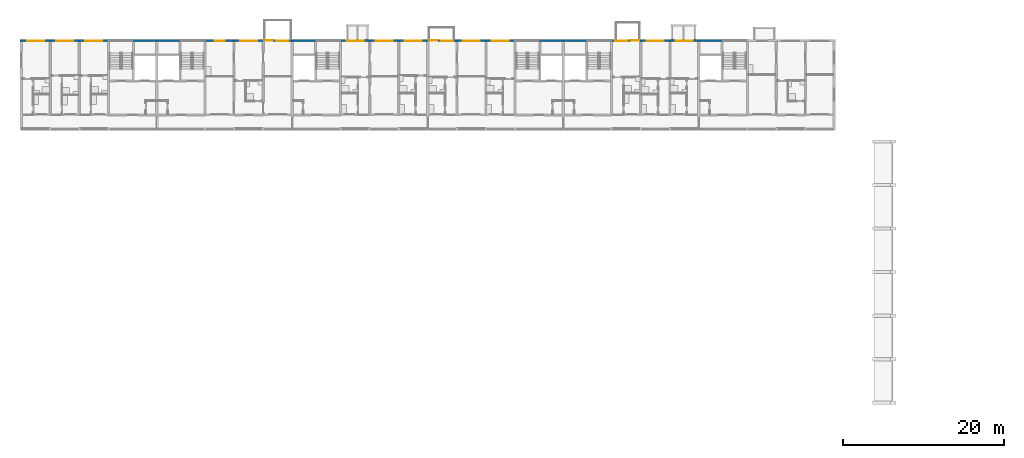
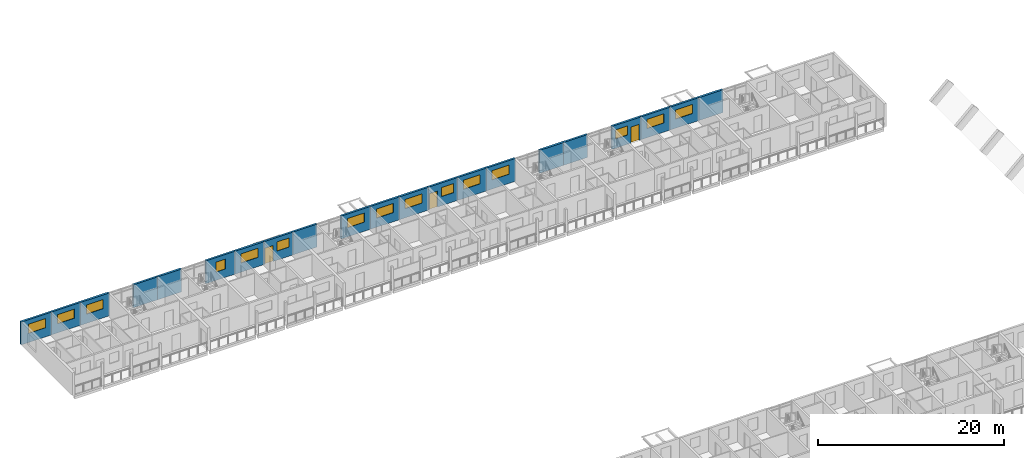
# One storey, part 44 of 98: 21 walls, 15 windows, 3 doors, 18 openings.
"""IFC4 building model written with IfcOpenShell, lengths in metres."""

import ifcopenshell
import ifcopenshell.guid

model = None  # the IFC model being written
_history = None  # IfcOwnerHistory: only IFC2X3 demands one
_inside = {}  # id of a spatial element -> (the spatial element, [elements in it])
_under = {}  # id of a project, library or spatial element -> (it, [spatial elements below it])
_declared = {}  # id of a project -> (the project, [libraries it declares])
_typed = {}  # id of a type object -> (the type object, [elements of that type])
_made_of = {}  # id of a material, layer set ... -> (it, [elements and type objects made of it])


def new_model(schema):
    """Start an empty IFC model of exactly this schema.

    Asked for "IFC4X3", IfcOpenShell would pick the latest addendum, in which some entities
    have other attributes; the version numbers below select the first issue.
    IFC2X3 requires an IfcOwnerHistory on every rooted entity: one is made here for all.
    """
    global model, _history
    if schema == "IFC4X3":
        model = ifcopenshell.file(schema_version=(4, 3, 0, 0))
    else:
        model = ifcopenshell.file(schema=schema)
    _inside.clear()
    _under.clear()
    _declared.clear()
    _typed.clear()
    _made_of.clear()
    _history = None
    if model.schema == "IFC2X3":
        org = make("IfcOrganization", Name="unknown")
        user = make(
            "IfcPersonAndOrganization",
            ThePerson=make("IfcPerson", FamilyName="unknown"),
            TheOrganization=org,
        )
        app = make(
            "IfcApplication",
            ApplicationDeveloper=org,
            Version="unknown",
            ApplicationFullName="unknown",
            ApplicationIdentifier="unknown",
        )
        _history = make(
            "IfcOwnerHistory",
            OwningUser=user,
            OwningApplication=app,
            ChangeAction="ADDED",
            CreationDate=0,
        )
    return model


def make(cls, **values):
    """One entity of the class cls with the attributes given. An attribute that is None is left unset."""
    return model.create_entity(
        cls, **{name: value for name, value in values.items() if value is not None}
    )


def rooted(cls, **values):
    """An entity with a GlobalId (a new one), such as an element, a storey or a relation."""
    return make(cls, GlobalId=ifcopenshell.guid.new(), OwnerHistory=_history, **values)


def si_unit(unit_type, name, prefix=None):
    """IfcSIUnit, for example si_unit("LENGTHUNIT", "METRE", prefix="MILLI")."""
    return make("IfcSIUnit", UnitType=unit_type, Prefix=prefix, Name=name)


def assignment(units):
    """IfcUnitAssignment: the units of a project."""
    return None if units is None else make("IfcUnitAssignment", Units=units)


def point(xyz):
    """IfcCartesianPoint."""
    return None if xyz is None else make("IfcCartesianPoint", Coordinates=xyz)


def direction(xyz):
    """IfcDirection."""
    return None if xyz is None else make("IfcDirection", DirectionRatios=xyz)


def frame(location, z_axis=None, x_axis=None):
    """IfcAxis2Placement3D, a coordinate frame: its origin and axes. An axis left out is left unset."""
    return make(
        "IfcAxis2Placement3D",
        Location=point(location),
        Axis=direction(z_axis),
        RefDirection=direction(x_axis),
    )


def frame_2d(location, x_axis=None):
    """IfcAxis2Placement2D, a coordinate frame in the plane: its origin and x axis."""
    return make(
        "IfcAxis2Placement2D", Location=point(location), RefDirection=direction(x_axis)
    )


def origin():
    """The frame at (0, 0, 0) with its axes left unset."""
    return frame((0.0, 0.0, 0.0))


def place(relative_to, where):
    """IfcLocalPlacement: puts the frame where relative to a parent placement (None: the world)."""
    return make(
        "IfcLocalPlacement", PlacementRelTo=relative_to, RelativePlacement=where
    )


def context(
    kind, dimensions, precision=None, world=None, true_north=None, identifier=None
):
    """IfcGeometricRepresentationContext, for example the 3D "Model" context."""
    return make(
        "IfcGeometricRepresentationContext",
        ContextIdentifier=identifier,
        ContextType=kind,
        CoordinateSpaceDimension=dimensions,
        Precision=precision,
        WorldCoordinateSystem=world,
        TrueNorth=true_north,
    )


def subcontext(parent, identifier, kind, view, scale=None):
    """IfcGeometricRepresentationSubContext, for example "Body" below "Model"."""
    return make(
        "IfcGeometricRepresentationSubContext",
        ContextIdentifier=identifier,
        ContextType=kind,
        ParentContext=parent,
        TargetScale=scale,
        TargetView=view,
    )


def project(units=None, contexts=None):
    """IfcProject with its units and contexts."""
    return rooted(
        "IfcProject",
        Name="project",
        RepresentationContexts=contexts,
        UnitsInContext=assignment(units),
    )


def spatial(cls, under=None, at=None, **own):
    """A site, building, storey or space (cls), placed at a placement, below another one or the project."""
    s = rooted(cls, ObjectPlacement=at, **own)
    if under is not None:
        _under.setdefault(under.id(), (under, []))[1].append(s)
    return s


def profile(cls, at=None, kind="AREA", **sizes):
    """A parametric profile (cls). Its sizes go by their IFC names, for example OverallWidth=200.0."""
    return make(cls, ProfileType=kind, Position=at, **sizes)


def rectangle(**sizes):
    """IfcRectangleProfileDef."""
    return profile("IfcRectangleProfileDef", **sizes)


def extrude(swept, where, along, depth):
    """IfcExtrudedAreaSolid: the profile swept, set in the frame where, extruded along a direction by depth."""
    return make(
        "IfcExtrudedAreaSolid",
        SweptArea=swept,
        Position=where,
        ExtrudedDirection=direction(along),
        Depth=depth,
    )


def shape(context_of_items, identifier, shape_type, items):
    """IfcShapeRepresentation: the items that make up one representation, for example the "Body"."""
    return make(
        "IfcShapeRepresentation",
        ContextOfItems=context_of_items,
        RepresentationIdentifier=identifier,
        RepresentationType=shape_type,
        Items=items,
    )


def material(Name=None, Category=None):
    """IfcMaterial."""
    return make("IfcMaterial", Name=Name, Category=Category)


def layer(
    of_material, thickness, ventilated=None, Name=None, Category=None, Priority=None
):
    """IfcMaterialLayer: one layer of a wall or slab, of a material (None: an air gap)."""
    return make(
        "IfcMaterialLayer",
        Material=of_material,
        LayerThickness=thickness,
        IsVentilated=ventilated,
        Name=Name,
        Category=Category,
        Priority=Priority,
    )


def layer_set(layers, Name=None):
    """IfcMaterialLayerSet."""
    return make("IfcMaterialLayerSet", MaterialLayers=layers, LayerSetName=Name)


def made_of(thing, what):
    """Note that an element or type object is made of a material, layer set ...; save() writes the relation."""
    if what is not None:
        _made_of.setdefault(what.id(), (what, []))[1].append(thing)
    return thing


def type_object(cls, material=None, **own):
    """A type object (cls), such as IfcWallType, which elements share."""
    return made_of(rooted(cls, **own), material)


def element(
    cls,
    number,
    at=None,
    inside=None,
    cuts=None,
    type_object=None,
    material=None,
    context=None,
    identifier="Body",
    shape_type=None,
    held_by="IfcProductDefinitionShape",
    body=None,
    shapes=None,
    **own,
):
    """One element of the class cls, such as IfcWall. Its Tag is "e" and its number.

    at: its placement. inside: the storey or other place that contains it. cuts: it is an
    opening in that element (IfcRelVoidsElement). A single representation is given by context,
    identifier, shape_type and body (its items); several are given by shapes. held_by: the class
    of the entity that holds the representations. save() writes the other relations.
    """
    e = rooted(cls, Tag="e%d" % number, ObjectPlacement=at, **own)
    if body is not None:
        shapes = [shape(context, identifier, shape_type, body)]
    if shapes is not None:
        e.Representation = make(held_by, Representations=shapes)
    if inside is not None:
        _inside.setdefault(inside.id(), (inside, []))[1].append(e)
    if cuts is not None:
        rooted(
            "IfcRelVoidsElement", RelatingBuildingElement=cuts, RelatedOpeningElement=e
        )
    if type_object is not None:
        _typed.setdefault(type_object.id(), (type_object, []))[1].append(e)
    return made_of(e, material)


def fill(opening, filler):
    """IfcRelFillsElement: the door or window that sits in an opening."""
    return rooted(
        "IfcRelFillsElement",
        RelatingOpeningElement=opening,
        RelatedBuildingElement=filler,
    )


def aggregate(whole, parts):
    """IfcRelAggregates: a whole, such as a stair, and the parts it consists of."""
    return rooted("IfcRelAggregates", RelatingObject=whole, RelatedObjects=parts)


def save(model, path):
    """Write the relations noted so far, then the file.

    IfcRelAggregates (storeys below a building ...), IfcRelContainedInSpatialStructure (elements
    in a storey), IfcRelDefinesByType, IfcRelAssociatesMaterial and IfcRelDeclares: one each for
    every whole, place, type object, material and project.
    """
    for whole, parts in _under.values():
        aggregate(whole, parts)
    for where, things in _inside.values():
        rooted(
            "IfcRelContainedInSpatialStructure",
            RelatedElements=things,
            RelatingStructure=where,
        )
    for kind, things in _typed.values():
        rooted("IfcRelDefinesByType", RelatedObjects=things, RelatingType=kind)
    for what, things in _made_of.values():
        rooted("IfcRelAssociatesMaterial", RelatedObjects=things, RelatingMaterial=what)
    for by, libraries in _declared.values():
        rooted("IfcRelDeclares", RelatingContext=by, RelatedDefinitions=libraries)
    model.write(path)


model = new_model("IFC4")

# Units and contexts
model_context = context("Model", 3, precision=1e-05, world=origin(), true_north=direction((0.0, 1.0)))
body_context = subcontext(model_context, "Body", "Model", "MODEL_VIEW")
ifc_project = project(units=[si_unit("LENGTHUNIT", "METRE"), si_unit("AREAUNIT", "SQUARE_METRE"), si_unit("VOLUMEUNIT", "CUBIC_METRE"), si_unit("PLANEANGLEUNIT", "RADIAN"), si_unit("MASSUNIT", "GRAM", prefix="KILO")], contexts=[model_context])

# Site, building, storey
site_placement = place(None, origin())
site = spatial("IfcSite", under=ifc_project, at=site_placement, CompositionType="ELEMENT")
building_placement = place(site_placement, origin())
building = spatial("IfcBuilding", under=site, at=building_placement, Name="Ridgestep Commons", CompositionType="ELEMENT")
storey_placement = place(building_placement, frame((0.0, 0.0, 12.0)))
storey = spatial("IfcBuildingStorey", under=building, at=storey_placement, Name="L04", CompositionType="ELEMENT", Elevation=12.0)

# Wall, opening, window
ifc_material_1 = material(Name="Precast concrete C40/50", Category="concrete")
ifc_layer = layer(ifc_material_1, 0.25)
ifc_layer_set = layer_set([ifc_layer], Name="North facade panel 250")
wall_type = type_object("IfcWallType", Name="North facade panel 250", PredefinedType="SOLIDWALL", material=ifc_layer_set)
wall_1_placement = place(storey_placement, frame((11.85009765625, 77.125, 0.0), z_axis=(0.0, 0.0, 1.0), x_axis=(1.0, 0.0, 0.0)))
wall_1 = element("IfcWall", 1, at=wall_1_placement, inside=storey, type_object=wall_type, Name="North panel B1T1 L04", PredefinedType="SOLIDWALL", context=body_context, shape_type="SweptSolid", body=[
    extrude(rectangle(XDim=3.75, YDim=0.25, at=frame_2d((1.875, 0.0))), origin(), (0.0, 0.0, 1.0), 3.0),
])
opening_1_placement = place(wall_1_placement, frame((0.925048828125, 0.0, 1.199951171875)))
opening_1 = element("IfcOpeningElement", 2, at=opening_1_placement, cuts=wall_1, Name="Opening W22", PredefinedType="OPENING", context=body_context, shape_type="SweptSolid", body=[
    extrude(rectangle(XDim=2.10009765625, YDim=1.199951171875, at=frame_2d((1.050048828125, 0.60009765625))), frame((0.0, 0.135009765625, 0.0), z_axis=(0.0, -1.0, 0.0), x_axis=(1.0, 0.0, 0.0)), (0.0, 0.0, 1.0), 0.27001953125),
])
ifc_material_2 = material(Name="Aluminium 6063-T6 and glass", Category="aluminium")
window_type_1 = type_object("IfcWindowType", Name="Flat window 2100 x 1200", PartitioningType="DOUBLE_PANEL_VERTICAL", PredefinedType="WINDOW", material=ifc_material_2)
window_1_placement = place(opening_1_placement, origin())
window_1 = element("IfcWindow", 3, at=window_1_placement, inside=storey, type_object=window_type_1, Name="Window B1-04a 2", OverallHeight=1.199951171875, OverallWidth=2.10009765625, PartitioningType="SINGLE_PANEL", PredefinedType="WINDOW", context=body_context, shape_type="SweptSolid", body=[
    extrude(rectangle(XDim=2.10009765625, YDim=1.199951171875, at=frame_2d((1.050048828125, 0.60009765625))), frame((0.0, -0.02490234375, 0.0), z_axis=(0.0, -1.0, 0.0), x_axis=(1.0, 0.0, 0.0)), (0.0, 0.0, 1.0), 0.06005859375),
])
fill(opening_1, window_1)

wall_2_placement = place(storey_placement, frame((15.60009765625, 77.125, 0.0), z_axis=(0.0, 0.0, 1.0), x_axis=(1.0, 0.0, 0.0)))
wall_2 = element("IfcWall", 4, at=wall_2_placement, inside=storey, type_object=wall_type, Name="North panel B1T2 L04", PredefinedType="SOLIDWALL", context=body_context, shape_type="SweptSolid", body=[
    extrude(rectangle(XDim=3.599853515625, YDim=0.25, at=frame_2d((1.7998046875, 0.0))), origin(), (0.0, 0.0, 1.0), 3.0),
])
opening_2_placement = place(wall_2_placement, frame((0.75, 0.0, 1.199951171875)))
opening_2 = element("IfcOpeningElement", 5, at=opening_2_placement, cuts=wall_2, Name="Opening W22", PredefinedType="OPENING", context=body_context, shape_type="SweptSolid", body=[
    extrude(rectangle(XDim=2.10009765625, YDim=1.199951171875, at=frame_2d((1.050048828125, 0.60009765625))), frame((0.0, 0.135009765625, 0.0), z_axis=(0.0, -1.0, 0.0), x_axis=(1.0, 0.0, 0.0)), (0.0, 0.0, 1.0), 0.27001953125),
])
window_2_placement = place(opening_2_placement, origin())
window_2 = element("IfcWindow", 6, at=window_2_placement, inside=storey, type_object=window_type_1, Name="Window B1-04b 2", OverallHeight=1.199951171875, OverallWidth=2.10009765625, PartitioningType="SINGLE_PANEL", PredefinedType="WINDOW", context=body_context, shape_type="SweptSolid", body=[
    extrude(rectangle(XDim=2.10009765625, YDim=1.199951171875, at=frame_2d((1.050048828125, 0.60009765625))), frame((0.0, -0.02490234375, 0.0), z_axis=(0.0, -1.0, 0.0), x_axis=(1.0, 0.0, 0.0)), (0.0, 0.0, 1.0), 0.06005859375),
])
fill(opening_2, window_2)

wall_3_placement = place(storey_placement, frame((19.199951171875, 77.125, 0.0), z_axis=(0.0, 0.0, 1.0), x_axis=(1.0, 0.0, 0.0)))
wall_3 = element("IfcWall", 7, at=wall_3_placement, inside=storey, type_object=wall_type, Name="North panel B1T3 L04", PredefinedType="SOLIDWALL", context=body_context, shape_type="SweptSolid", body=[
    extrude(rectangle(XDim=3.60009765625, YDim=0.25, at=frame_2d((1.800048828125, 0.0))), origin(), (0.0, 0.0, 1.0), 3.0),
])
opening_3_placement = place(wall_3_placement, frame((0.737548828125, 0.0, 1.199951171875)))
opening_3 = element("IfcOpeningElement", 8, at=opening_3_placement, cuts=wall_3, Name="Opening W22", PredefinedType="OPENING", context=body_context, shape_type="SweptSolid", body=[
    extrude(rectangle(XDim=2.10009765625, YDim=1.199951171875, at=frame_2d((1.050048828125, 0.60009765625))), frame((0.0, 0.135009765625, 0.0), z_axis=(0.0, -1.0, 0.0), x_axis=(1.0, 0.0, 0.0)), (0.0, 0.0, 1.0), 0.27001953125),
])
window_3_placement = place(opening_3_placement, origin())
window_3 = element("IfcWindow", 9, at=window_3_placement, inside=storey, type_object=window_type_1, Name="Window B1-04c 2", OverallHeight=1.199951171875, OverallWidth=2.10009765625, PartitioningType="SINGLE_PANEL", PredefinedType="WINDOW", context=body_context, shape_type="SweptSolid", body=[
    extrude(rectangle(XDim=2.10009765625, YDim=1.199951171875, at=frame_2d((1.050048828125, 0.60009765625))), frame((0.0, -0.02490234375, 0.0), z_axis=(0.0, -1.0, 0.0), x_axis=(1.0, 0.0, 0.0)), (0.0, 0.0, 1.0), 0.06005859375),
])
fill(opening_3, window_3)

# Walls
wall_4_placement = place(storey_placement, frame((25.824951171875, 77.125, 0.0), z_axis=(0.0, 0.0, 1.0), x_axis=(1.0, 0.0, 0.0)))
element("IfcWall", 10, at=wall_4_placement, inside=storey, type_object=wall_type, Name="North panel B1C L04", PredefinedType="SOLIDWALL", context=body_context, shape_type="SweptSolid", body=[
    extrude(rectangle(XDim=2.97509765625, YDim=0.25, at=frame_2d((1.487548828125, 0.0))), origin(), (0.0, 0.0, 1.0), 3.0),
])
wall_5_placement = place(storey_placement, frame((28.800048828125, 77.125, 0.0), z_axis=(0.0, 0.0, 1.0), x_axis=(1.0, 0.0, 0.0)))
element("IfcWall", 11, at=wall_5_placement, inside=storey, type_object=wall_type, Name="North panel B2C L04", PredefinedType="SOLIDWALL", context=body_context, shape_type="SweptSolid", body=[
    extrude(rectangle(XDim=2.974853515625, YDim=0.25, at=frame_2d((1.4873046875, 0.0))), origin(), (0.0, 0.0, 1.0), 3.0),
])

# Wall, opening, window
wall_6_placement = place(storey_placement, frame((34.800048828125, 77.125, 0.0), z_axis=(0.0, 0.0, 1.0), x_axis=(1.0, 0.0, 0.0)))
wall_6 = element("IfcWall", 12, at=wall_6_placement, inside=storey, type_object=wall_type, Name="North panel B2T3 L04", PredefinedType="SOLIDWALL", context=body_context, shape_type="SweptSolid", body=[
    extrude(rectangle(XDim=3.599853515625, YDim=0.25, at=frame_2d((1.7998046875, 0.0))), origin(), (0.0, 0.0, 1.0), 3.0),
])
opening_4_placement = place(wall_6_placement, frame((1.21240234375, 0.0, 1.10009765625)))
opening_4 = element("IfcOpeningElement", 13, at=opening_4_placement, cuts=wall_6, Name="Opening W08", PredefinedType="OPENING", context=body_context, shape_type="SweptSolid", body=[
    extrude(rectangle(XDim=1.199951171875, YDim=1.300048828125, at=frame_2d((0.60009765625, 0.64990234375))), frame((0.0, 0.135009765625, 0.0), z_axis=(0.0, -1.0, 0.0), x_axis=(1.0, 0.0, 0.0)), (0.0, 0.0, 1.0), 0.27001953125),
])
ifc_material_3 = material(Name="Aluminium 6063-T6 and glass", Category="aluminium")
window_type_2 = type_object("IfcWindowType", Name="Flat window 1200 x 1300", PartitioningType="SINGLE_PANEL", PredefinedType="WINDOW", material=ifc_material_3)
window_4_placement = place(opening_4_placement, origin())
window_4 = element("IfcWindow", 14, at=window_4_placement, inside=storey, type_object=window_type_2, Name="Window B2-04a 2", OverallHeight=1.300048828125, OverallWidth=1.199951171875, PartitioningType="SINGLE_PANEL", PredefinedType="WINDOW", context=body_context, shape_type="SweptSolid", body=[
    extrude(rectangle(XDim=1.199951171875, YDim=1.300048828125, at=frame_2d((0.60009765625, 0.64990234375))), frame((0.0, -0.02490234375, 0.0), z_axis=(0.0, -1.0, 0.0), x_axis=(1.0, 0.0, 0.0)), (0.0, 0.0, 1.0), 0.06005859375),
])
fill(opening_4, window_4)

wall_7_placement = place(storey_placement, frame((38.39990234375, 77.125, 0.0), z_axis=(0.0, 0.0, 1.0), x_axis=(1.0, 0.0, 0.0)))
wall_7 = element("IfcWall", 15, at=wall_7_placement, inside=storey, type_object=wall_type, Name="North panel B2T2 L04", PredefinedType="SOLIDWALL", context=body_context, shape_type="SweptSolid", body=[
    extrude(rectangle(XDim=3.60009765625, YDim=0.25, at=frame_2d((1.800048828125, 0.0))), origin(), (0.0, 0.0, 1.0), 3.0),
])
opening_5_placement = place(wall_7_placement, frame((0.75, 0.0, 1.199951171875)))
opening_5 = element("IfcOpeningElement", 16, at=opening_5_placement, cuts=wall_7, Name="Opening W22", PredefinedType="OPENING", context=body_context, shape_type="SweptSolid", body=[
    extrude(rectangle(XDim=2.10009765625, YDim=1.199951171875, at=frame_2d((1.050048828125, 0.60009765625))), frame((0.0, 0.135009765625, 0.0), z_axis=(0.0, -1.0, 0.0), x_axis=(1.0, 0.0, 0.0)), (0.0, 0.0, 1.0), 0.27001953125),
])
window_5_placement = place(opening_5_placement, origin())
window_5 = element("IfcWindow", 17, at=window_5_placement, inside=storey, type_object=window_type_1, Name="Window B2-04a 5", OverallHeight=1.199951171875, OverallWidth=2.10009765625, PartitioningType="SINGLE_PANEL", PredefinedType="WINDOW", context=body_context, shape_type="SweptSolid", body=[
    extrude(rectangle(XDim=2.10009765625, YDim=1.199951171875, at=frame_2d((1.050048828125, 0.60009765625))), frame((0.0, -0.02490234375, 0.0), z_axis=(0.0, -1.0, 0.0), x_axis=(1.0, 0.0, 0.0)), (0.0, 0.0, 1.0), 0.06005859375),
])
fill(opening_5, window_5)

# Wall, openings, door, window
wall_8_placement = place(storey_placement, frame((42.0, 77.125, 0.0), z_axis=(0.0, 0.0, 1.0), x_axis=(1.0, 0.0, 0.0)))
wall_8 = element("IfcWall", 18, at=wall_8_placement, inside=storey, type_object=wall_type, Name="North panel B2T1 L04", PredefinedType="SOLIDWALL", context=body_context, shape_type="SweptSolid", body=[
    extrude(rectangle(XDim=3.60009765625, YDim=0.25, at=frame_2d((1.800048828125, 0.0))), origin(), (0.0, 0.0, 1.0), 3.0),
])
opening_6_placement = place(wall_8_placement, frame((1.60009765625, 0.0, 1.199951171875)))
opening_6 = element("IfcOpeningElement", 19, at=opening_6_placement, cuts=wall_8, Name="Opening W13", PredefinedType="OPENING", context=body_context, shape_type="SweptSolid", body=[
    extrude(rectangle(XDim=1.5, YDim=1.199951171875, at=frame_2d((0.75, 0.60009765625))), frame((0.0, 0.135009765625, 0.0), z_axis=(0.0, -1.0, 0.0), x_axis=(1.0, 0.0, 0.0)), (0.0, 0.0, 1.0), 0.27001953125),
])
opening_7_placement = place(wall_8_placement, frame((0.14990234375, 0.0, 0.0)))
opening_7 = element("IfcOpeningElement", 20, at=opening_7_placement, cuts=wall_8, Name="Opening B2-04a/8", PredefinedType="OPENING", context=body_context, shape_type="SweptSolid", body=[
    extrude(rectangle(XDim=1.0, YDim=2.10009765625, at=frame_2d((0.5, 1.050048828125))), frame((0.0, 0.135009765625, 0.0), z_axis=(0.0, -1.0, 0.0), x_axis=(1.0, 0.0, 0.0)), (0.0, 0.0, 1.0), 0.27001953125),
])
ifc_material_4 = material(Name="Aluminium and glass", Category="aluminium")
door_type = type_object("IfcDoorType", Name="Balcony door 1000 x 2100", OperationType="NOTDEFINED", PredefinedType="DOOR", material=ifc_material_4)
door_1_placement = place(opening_7_placement, origin())
door_1 = element("IfcDoor", 21, at=door_1_placement, inside=storey, type_object=door_type, Name="Balcony door B2-04a/8", OperationType="SINGLE_SWING_RIGHT", OverallHeight=2.10009765625, OverallWidth=1.0, PredefinedType="DOOR", context=body_context, shape_type="SweptSolid", body=[
    extrude(rectangle(XDim=1.0, YDim=2.10009765625, at=frame_2d((0.5, 1.050048828125))), frame((0.0, 0.02490234375, 0.0), z_axis=(0.0, -1.0, 0.0), x_axis=(1.0, 0.0, 0.0)), (0.0, 0.0, 1.0), 0.050048828125),
])
fill(opening_7, door_1)
ifc_material_5 = material(Name="Aluminium 6063-T6 and glass", Category="aluminium")
window_type_3 = type_object("IfcWindowType", Name="Flat window 1500 x 1200", PartitioningType="DOUBLE_PANEL_VERTICAL", PredefinedType="WINDOW", material=ifc_material_5)
window_6_placement = place(opening_6_placement, origin())
window_6 = element("IfcWindow", 22, at=window_6_placement, inside=storey, type_object=window_type_3, Name="Window B2-04a 4", OverallHeight=1.199951171875, OverallWidth=1.5, PartitioningType="SINGLE_PANEL", PredefinedType="WINDOW", context=body_context, shape_type="SweptSolid", body=[
    extrude(rectangle(XDim=1.5, YDim=1.199951171875, at=frame_2d((0.75, 0.60009765625))), frame((0.0, -0.02490234375, 0.0), z_axis=(0.0, -1.0, 0.0), x_axis=(1.0, 0.0, 0.0)), (0.0, 0.0, 1.0), 0.06005859375),
])
fill(opening_6, window_6)

# Wall
wall_9_placement = place(storey_placement, frame((45.60009765625, 77.125, 0.0), z_axis=(0.0, 0.0, 1.0), x_axis=(1.0, 0.0, 0.0)))
element("IfcWall", 23, at=wall_9_placement, inside=storey, type_object=wall_type, Name="North panel B3C L04", PredefinedType="SOLIDWALL", context=body_context, shape_type="SweptSolid", body=[
    extrude(rectangle(XDim=2.974853515625, YDim=0.25, at=frame_2d((1.4873046875, 0.0))), origin(), (0.0, 0.0, 1.0), 3.0),
])

# Wall, opening, window
wall_10_placement = place(storey_placement, frame((51.60009765625, 77.125, 0.0), z_axis=(0.0, 0.0, 1.0), x_axis=(1.0, 0.0, 0.0)))
wall_10 = element("IfcWall", 24, at=wall_10_placement, inside=storey, type_object=wall_type, Name="North panel B3T3 L04", PredefinedType="SOLIDWALL", context=body_context, shape_type="SweptSolid", body=[
    extrude(rectangle(XDim=3.599853515625, YDim=0.25, at=frame_2d((1.7998046875, 0.0))), origin(), (0.0, 0.0, 1.0), 3.0),
])
opening_8_placement = place(wall_10_placement, frame((0.762451171875, 0.0, 1.199951171875)))
opening_8 = element("IfcOpeningElement", 25, at=opening_8_placement, cuts=wall_10, Name="Opening W22", PredefinedType="OPENING", context=body_context, shape_type="SweptSolid", body=[
    extrude(rectangle(XDim=2.10009765625, YDim=1.199951171875, at=frame_2d((1.050048828125, 0.60009765625))), frame((0.0, 0.135009765625, 0.0), z_axis=(0.0, -1.0, 0.0), x_axis=(1.0, 0.0, 0.0)), (0.0, 0.0, 1.0), 0.27001953125),
])
window_7_placement = place(opening_8_placement, origin())
window_7 = element("IfcWindow", 26, at=window_7_placement, inside=storey, type_object=window_type_1, Name="Window B3-04b 4", OverallHeight=1.199951171875, OverallWidth=2.10009765625, PartitioningType="SINGLE_PANEL", PredefinedType="WINDOW", context=body_context, shape_type="SweptSolid", body=[
    extrude(rectangle(XDim=2.10009765625, YDim=1.199951171875, at=frame_2d((1.050048828125, 0.60009765625))), frame((0.0, -0.02490234375, 0.0), z_axis=(0.0, -1.0, 0.0), x_axis=(1.0, 0.0, 0.0)), (0.0, 0.0, 1.0), 0.06005859375),
])
fill(opening_8, window_7)

wall_11_placement = place(storey_placement, frame((55.199951171875, 77.125, 0.0), z_axis=(0.0, 0.0, 1.0), x_axis=(1.0, 0.0, 0.0)))
wall_11 = element("IfcWall", 27, at=wall_11_placement, inside=storey, type_object=wall_type, Name="North panel B3T2 L04", PredefinedType="SOLIDWALL", context=body_context, shape_type="SweptSolid", body=[
    extrude(rectangle(XDim=3.60009765625, YDim=0.25, at=frame_2d((1.800048828125, 0.0))), origin(), (0.0, 0.0, 1.0), 3.0),
])
opening_9_placement = place(wall_11_placement, frame((0.75, 0.0, 1.199951171875)))
opening_9 = element("IfcOpeningElement", 28, at=opening_9_placement, cuts=wall_11, Name="Opening W22", PredefinedType="OPENING", context=body_context, shape_type="SweptSolid", body=[
    extrude(rectangle(XDim=2.10009765625, YDim=1.199951171875, at=frame_2d((1.050048828125, 0.60009765625))), frame((0.0, 0.135009765625, 0.0), z_axis=(0.0, -1.0, 0.0), x_axis=(1.0, 0.0, 0.0)), (0.0, 0.0, 1.0), 0.27001953125),
])
window_8_placement = place(opening_9_placement, origin())
window_8 = element("IfcWindow", 29, at=window_8_placement, inside=storey, type_object=window_type_1, Name="Window B3-04b 2", OverallHeight=1.199951171875, OverallWidth=2.10009765625, PartitioningType="SINGLE_PANEL", PredefinedType="WINDOW", context=body_context, shape_type="SweptSolid", body=[
    extrude(rectangle(XDim=2.10009765625, YDim=1.199951171875, at=frame_2d((1.050048828125, 0.60009765625))), frame((0.0, -0.02490234375, 0.0), z_axis=(0.0, -1.0, 0.0), x_axis=(1.0, 0.0, 0.0)), (0.0, 0.0, 1.0), 0.06005859375),
])
fill(opening_9, window_8)

wall_12_placement = place(storey_placement, frame((58.800048828125, 77.125, 0.0), z_axis=(0.0, 0.0, 1.0), x_axis=(1.0, 0.0, 0.0)))
wall_12 = element("IfcWall", 30, at=wall_12_placement, inside=storey, type_object=wall_type, Name="North panel B3T1 L04", PredefinedType="SOLIDWALL", context=body_context, shape_type="SweptSolid", body=[
    extrude(rectangle(XDim=3.599853515625, YDim=0.25, at=frame_2d((1.7998046875, 0.0))), origin(), (0.0, 0.0, 1.0), 3.0),
])
opening_10_placement = place(wall_12_placement, frame((0.72509765625, 0.0, 1.199951171875)))
opening_10 = element("IfcOpeningElement", 31, at=opening_10_placement, cuts=wall_12, Name="Opening W22", PredefinedType="OPENING", context=body_context, shape_type="SweptSolid", body=[
    extrude(rectangle(XDim=2.10009765625, YDim=1.199951171875, at=frame_2d((1.050048828125, 0.60009765625))), frame((0.0, 0.135009765625, 0.0), z_axis=(0.0, -1.0, 0.0), x_axis=(1.0, 0.0, 0.0)), (0.0, 0.0, 1.0), 0.27001953125),
])
window_9_placement = place(opening_10_placement, origin())
window_9 = element("IfcWindow", 32, at=window_9_placement, inside=storey, type_object=window_type_1, Name="Window B3-04a 2", OverallHeight=1.199951171875, OverallWidth=2.10009765625, PartitioningType="SINGLE_PANEL", PredefinedType="WINDOW", context=body_context, shape_type="SweptSolid", body=[
    extrude(rectangle(XDim=2.10009765625, YDim=1.199951171875, at=frame_2d((1.050048828125, 0.60009765625))), frame((0.0, -0.02490234375, 0.0), z_axis=(0.0, -1.0, 0.0), x_axis=(1.0, 0.0, 0.0)), (0.0, 0.0, 1.0), 0.06005859375),
])
fill(opening_10, window_9)

# Wall, openings, door, window
wall_13_placement = place(storey_placement, frame((62.39990234375, 77.125, 0.0), z_axis=(0.0, 0.0, 1.0), x_axis=(1.0, 0.0, 0.0)))
wall_13 = element("IfcWall", 33, at=wall_13_placement, inside=storey, type_object=wall_type, Name="North panel B4T1 L04", PredefinedType="SOLIDWALL", context=body_context, shape_type="SweptSolid", body=[
    extrude(rectangle(XDim=3.60009765625, YDim=0.25, at=frame_2d((1.800048828125, 0.0))), origin(), (0.0, 0.0, 1.0), 3.0),
])
opening_11_placement = place(wall_13_placement, frame((1.6279296875, 0.0, 1.199951171875)))
opening_11 = element("IfcOpeningElement", 34, at=opening_11_placement, cuts=wall_13, Name="Opening W13", PredefinedType="OPENING", context=body_context, shape_type="SweptSolid", body=[
    extrude(rectangle(XDim=1.5, YDim=1.199951171875, at=frame_2d((0.75, 0.60009765625))), frame((0.0, 0.135009765625, 0.0), z_axis=(0.0, -1.0, 0.0), x_axis=(1.0, 0.0, 0.0)), (0.0, 0.0, 1.0), 0.27001953125),
])
opening_12_placement = place(wall_13_placement, frame((0.156005859375, 0.0, 0.0)))
opening_12 = element("IfcOpeningElement", 35, at=opening_12_placement, cuts=wall_13, Name="Opening B4-04a/7", PredefinedType="OPENING", context=body_context, shape_type="SweptSolid", body=[
    extrude(rectangle(XDim=1.0, YDim=2.10009765625, at=frame_2d((0.5, 1.050048828125))), frame((0.0, 0.135009765625, 0.0), z_axis=(0.0, -1.0, 0.0), x_axis=(1.0, 0.0, 0.0)), (0.0, 0.0, 1.0), 0.27001953125),
])
door_2_placement = place(opening_12_placement, origin())
door_2 = element("IfcDoor", 36, at=door_2_placement, inside=storey, type_object=door_type, Name="Balcony door B4-04a/7", OperationType="SINGLE_SWING_RIGHT", OverallHeight=2.10009765625, OverallWidth=1.0, PredefinedType="DOOR", context=body_context, shape_type="SweptSolid", body=[
    extrude(rectangle(XDim=1.0, YDim=2.10009765625, at=frame_2d((0.5, 1.050048828125))), frame((0.0, 0.02490234375, 0.0), z_axis=(0.0, -1.0, 0.0), x_axis=(1.0, 0.0, 0.0)), (0.0, 0.0, 1.0), 0.050048828125),
])
fill(opening_12, door_2)
window_10_placement = place(opening_11_placement, origin())
window_10 = element("IfcWindow", 37, at=window_10_placement, inside=storey, type_object=window_type_3, Name="Window B4-04a 4", OverallHeight=1.199951171875, OverallWidth=1.5, PartitioningType="SINGLE_PANEL", PredefinedType="WINDOW", context=body_context, shape_type="SweptSolid", body=[
    extrude(rectangle(XDim=1.5, YDim=1.199951171875, at=frame_2d((0.75, 0.60009765625))), frame((0.0, -0.02490234375, 0.0), z_axis=(0.0, -1.0, 0.0), x_axis=(1.0, 0.0, 0.0)), (0.0, 0.0, 1.0), 0.06005859375),
])
fill(opening_11, window_10)

# Wall, opening, window
wall_14_placement = place(storey_placement, frame((66.0, 77.125, 0.0), z_axis=(0.0, 0.0, 1.0), x_axis=(1.0, 0.0, 0.0)))
wall_14 = element("IfcWall", 38, at=wall_14_placement, inside=storey, type_object=wall_type, Name="North panel B4T2 L04", PredefinedType="SOLIDWALL", context=body_context, shape_type="SweptSolid", body=[
    extrude(rectangle(XDim=3.60009765625, YDim=0.25, at=frame_2d((1.800048828125, 0.0))), origin(), (0.0, 0.0, 1.0), 3.0),
])
opening_13_placement = place(wall_14_placement, frame((0.75, 0.0, 1.199951171875)))
opening_13 = element("IfcOpeningElement", 39, at=opening_13_placement, cuts=wall_14, Name="Opening W22", PredefinedType="OPENING", context=body_context, shape_type="SweptSolid", body=[
    extrude(rectangle(XDim=2.10009765625, YDim=1.199951171875, at=frame_2d((1.050048828125, 0.60009765625))), frame((0.0, 0.135009765625, 0.0), z_axis=(0.0, -1.0, 0.0), x_axis=(1.0, 0.0, 0.0)), (0.0, 0.0, 1.0), 0.27001953125),
])
window_11_placement = place(opening_13_placement, origin())
window_11 = element("IfcWindow", 40, at=window_11_placement, inside=storey, type_object=window_type_1, Name="Window B4-04a 2", OverallHeight=1.199951171875, OverallWidth=2.10009765625, PartitioningType="SINGLE_PANEL", PredefinedType="WINDOW", context=body_context, shape_type="SweptSolid", body=[
    extrude(rectangle(XDim=2.10009765625, YDim=1.199951171875, at=frame_2d((1.050048828125, 0.60009765625))), frame((0.0, -0.02490234375, 0.0), z_axis=(0.0, -1.0, 0.0), x_axis=(1.0, 0.0, 0.0)), (0.0, 0.0, 1.0), 0.06005859375),
])
fill(opening_13, window_11)

wall_15_placement = place(storey_placement, frame((69.60009765625, 77.125, 0.0), z_axis=(0.0, 0.0, 1.0), x_axis=(1.0, 0.0, 0.0)))
wall_15 = element("IfcWall", 41, at=wall_15_placement, inside=storey, type_object=wall_type, Name="North panel B4T3 L04", PredefinedType="SOLIDWALL", context=body_context, shape_type="SweptSolid", body=[
    extrude(rectangle(XDim=3.599853515625, YDim=0.25, at=frame_2d((1.7998046875, 0.0))), origin(), (0.0, 0.0, 1.0), 3.0),
])
opening_14_placement = place(wall_15_placement, frame((0.737548828125, 0.0, 1.199951171875)))
opening_14 = element("IfcOpeningElement", 42, at=opening_14_placement, cuts=wall_15, Name="Opening W22", PredefinedType="OPENING", context=body_context, shape_type="SweptSolid", body=[
    extrude(rectangle(XDim=2.10009765625, YDim=1.199951171875, at=frame_2d((1.050048828125, 0.60009765625))), frame((0.0, 0.135009765625, 0.0), z_axis=(0.0, -1.0, 0.0), x_axis=(1.0, 0.0, 0.0)), (0.0, 0.0, 1.0), 0.27001953125),
])
window_12_placement = place(opening_14_placement, origin())
window_12 = element("IfcWindow", 43, at=window_12_placement, inside=storey, type_object=window_type_1, Name="Window B4-04b 2", OverallHeight=1.199951171875, OverallWidth=2.10009765625, PartitioningType="SINGLE_PANEL", PredefinedType="WINDOW", context=body_context, shape_type="SweptSolid", body=[
    extrude(rectangle(XDim=2.10009765625, YDim=1.199951171875, at=frame_2d((1.050048828125, 0.60009765625))), frame((0.0, -0.02490234375, 0.0), z_axis=(0.0, -1.0, 0.0), x_axis=(1.0, 0.0, 0.0)), (0.0, 0.0, 1.0), 0.06005859375),
])
fill(opening_14, window_12)

# Walls
wall_16_placement = place(storey_placement, frame((76.22509765625, 77.125, 0.0), z_axis=(0.0, 0.0, 1.0), x_axis=(1.0, 0.0, 0.0)))
element("IfcWall", 44, at=wall_16_placement, inside=storey, type_object=wall_type, Name="North panel B4C L04", PredefinedType="SOLIDWALL", context=body_context, shape_type="SweptSolid", body=[
    extrude(rectangle(XDim=2.974853515625, YDim=0.25, at=frame_2d((1.4873046875, 0.0))), origin(), (0.0, 0.0, 1.0), 3.0),
])
wall_17_placement = place(storey_placement, frame((79.199951171875, 77.125, 0.0), z_axis=(0.0, 0.0, 1.0), x_axis=(1.0, 0.0, 0.0)))
element("IfcWall", 45, at=wall_17_placement, inside=storey, type_object=wall_type, Name="North panel B5C L04", PredefinedType="SOLIDWALL", context=body_context, shape_type="SweptSolid", body=[
    extrude(rectangle(XDim=2.97509765625, YDim=0.25, at=frame_2d((1.487548828125, 0.0))), origin(), (0.0, 0.0, 1.0), 3.0),
])

# Wall, openings, door, window
wall_18_placement = place(storey_placement, frame((85.199951171875, 77.125, 0.0), z_axis=(0.0, 0.0, 1.0), x_axis=(1.0, 0.0, 0.0)))
wall_18 = element("IfcWall", 46, at=wall_18_placement, inside=storey, type_object=wall_type, Name="North panel B5T3 L04", PredefinedType="SOLIDWALL", context=body_context, shape_type="SweptSolid", body=[
    extrude(rectangle(XDim=3.60009765625, YDim=0.25, at=frame_2d((1.800048828125, 0.0))), origin(), (0.0, 0.0, 1.0), 3.0),
])
opening_15_placement = place(wall_18_placement, frame((0.45751953125, 0.0, 1.199951171875)))
opening_15 = element("IfcOpeningElement", 47, at=opening_15_placement, cuts=wall_18, Name="Opening W13", PredefinedType="OPENING", context=body_context, shape_type="SweptSolid", body=[
    extrude(rectangle(XDim=1.5, YDim=1.199951171875, at=frame_2d((0.75, 0.60009765625))), frame((0.0, 0.135009765625, 0.0), z_axis=(0.0, -1.0, 0.0), x_axis=(1.0, 0.0, 0.0)), (0.0, 0.0, 1.0), 0.27001953125),
])
opening_16_placement = place(wall_18_placement, frame((2.389892578125, 0.0, 0.0)))
opening_16 = element("IfcOpeningElement", 48, at=opening_16_placement, cuts=wall_18, Name="Opening B5-04c/5", PredefinedType="OPENING", context=body_context, shape_type="SweptSolid", body=[
    extrude(rectangle(XDim=1.0, YDim=2.10009765625, at=frame_2d((0.5, 1.050048828125))), frame((0.0, 0.135009765625, 0.0), z_axis=(0.0, -1.0, 0.0), x_axis=(1.0, 0.0, 0.0)), (0.0, 0.0, 1.0), 0.27001953125),
])
door_3_placement = place(opening_16_placement, origin())
door_3 = element("IfcDoor", 49, at=door_3_placement, inside=storey, type_object=door_type, Name="Balcony door B5-04c/5", OperationType="SINGLE_SWING_LEFT", OverallHeight=2.10009765625, OverallWidth=1.0, PredefinedType="DOOR", context=body_context, shape_type="SweptSolid", body=[
    extrude(rectangle(XDim=1.0, YDim=2.10009765625, at=frame_2d((0.5, 1.050048828125))), frame((0.0, 0.02490234375, 0.0), z_axis=(0.0, -1.0, 0.0), x_axis=(1.0, 0.0, 0.0)), (0.0, 0.0, 1.0), 0.050048828125),
])
fill(opening_16, door_3)
window_13_placement = place(opening_15_placement, origin())
window_13 = element("IfcWindow", 50, at=window_13_placement, inside=storey, type_object=window_type_3, Name="Window B5-04c 2", OverallHeight=1.199951171875, OverallWidth=1.5, PartitioningType="SINGLE_PANEL", PredefinedType="WINDOW", context=body_context, shape_type="SweptSolid", body=[
    extrude(rectangle(XDim=1.5, YDim=1.199951171875, at=frame_2d((0.75, 0.60009765625))), frame((0.0, -0.02490234375, 0.0), z_axis=(0.0, -1.0, 0.0), x_axis=(1.0, 0.0, 0.0)), (0.0, 0.0, 1.0), 0.06005859375),
])
fill(opening_15, window_13)

# Wall, opening, window
wall_19_placement = place(storey_placement, frame((88.800048828125, 77.125, 0.0), z_axis=(0.0, 0.0, 1.0), x_axis=(1.0, 0.0, 0.0)))
wall_19 = element("IfcWall", 51, at=wall_19_placement, inside=storey, type_object=wall_type, Name="North panel B5T2 L04", PredefinedType="SOLIDWALL", context=body_context, shape_type="SweptSolid", body=[
    extrude(rectangle(XDim=3.599853515625, YDim=0.25, at=frame_2d((1.7998046875, 0.0))), origin(), (0.0, 0.0, 1.0), 3.0),
])
opening_17_placement = place(wall_19_placement, frame((0.75, 0.0, 1.199951171875)))
opening_17 = element("IfcOpeningElement", 52, at=opening_17_placement, cuts=wall_19, Name="Opening W22", PredefinedType="OPENING", context=body_context, shape_type="SweptSolid", body=[
    extrude(rectangle(XDim=2.10009765625, YDim=1.199951171875, at=frame_2d((1.050048828125, 0.60009765625))), frame((0.0, 0.135009765625, 0.0), z_axis=(0.0, -1.0, 0.0), x_axis=(1.0, 0.0, 0.0)), (0.0, 0.0, 1.0), 0.27001953125),
])
window_14_placement = place(opening_17_placement, origin())
window_14 = element("IfcWindow", 53, at=window_14_placement, inside=storey, type_object=window_type_1, Name="Window B5-04b 2", OverallHeight=1.199951171875, OverallWidth=2.10009765625, PartitioningType="SINGLE_PANEL", PredefinedType="WINDOW", context=body_context, shape_type="SweptSolid", body=[
    extrude(rectangle(XDim=2.10009765625, YDim=1.199951171875, at=frame_2d((1.050048828125, 0.60009765625))), frame((0.0, -0.02490234375, 0.0), z_axis=(0.0, -1.0, 0.0), x_axis=(1.0, 0.0, 0.0)), (0.0, 0.0, 1.0), 0.06005859375),
])
fill(opening_17, window_14)

wall_20_placement = place(storey_placement, frame((92.39990234375, 77.125, 0.0), z_axis=(0.0, 0.0, 1.0), x_axis=(1.0, 0.0, 0.0)))
wall_20 = element("IfcWall", 54, at=wall_20_placement, inside=storey, type_object=wall_type, Name="North panel B5T1 L04", PredefinedType="SOLIDWALL", context=body_context, shape_type="SweptSolid", body=[
    extrude(rectangle(XDim=3.60009765625, YDim=0.25, at=frame_2d((1.800048828125, 0.0))), origin(), (0.0, 0.0, 1.0), 3.0),
])
opening_18_placement = place(wall_20_placement, frame((0.72509765625, 0.0, 1.199951171875)))
opening_18 = element("IfcOpeningElement", 55, at=opening_18_placement, cuts=wall_20, Name="Opening W22", PredefinedType="OPENING", context=body_context, shape_type="SweptSolid", body=[
    extrude(rectangle(XDim=2.10009765625, YDim=1.199951171875, at=frame_2d((1.050048828125, 0.60009765625))), frame((0.0, 0.135009765625, 0.0), z_axis=(0.0, -1.0, 0.0), x_axis=(1.0, 0.0, 0.0)), (0.0, 0.0, 1.0), 0.27001953125),
])
window_15_placement = place(opening_18_placement, origin())
window_15 = element("IfcWindow", 56, at=window_15_placement, inside=storey, type_object=window_type_1, Name="Window B5-04a 2", OverallHeight=1.199951171875, OverallWidth=2.10009765625, PartitioningType="SINGLE_PANEL", PredefinedType="WINDOW", context=body_context, shape_type="SweptSolid", body=[
    extrude(rectangle(XDim=2.10009765625, YDim=1.199951171875, at=frame_2d((1.050048828125, 0.60009765625))), frame((0.0, -0.02490234375, 0.0), z_axis=(0.0, -1.0, 0.0), x_axis=(1.0, 0.0, 0.0)), (0.0, 0.0, 1.0), 0.06005859375),
])
fill(opening_18, window_15)

# Wall
wall_21_placement = place(storey_placement, frame((96.0, 77.125, 0.0), z_axis=(0.0, 0.0, 1.0), x_axis=(1.0, 0.0, 0.0)))
element("IfcWall", 57, at=wall_21_placement, inside=storey, type_object=wall_type, Name="North panel B6C L04", PredefinedType="SOLIDWALL", context=body_context, shape_type="SweptSolid", body=[
    extrude(rectangle(XDim=2.97509765625, YDim=0.25, at=frame_2d((1.487548828125, 0.0))), origin(), (0.0, 0.0, 1.0), 3.0),
])

save(model, "model.ifc")
